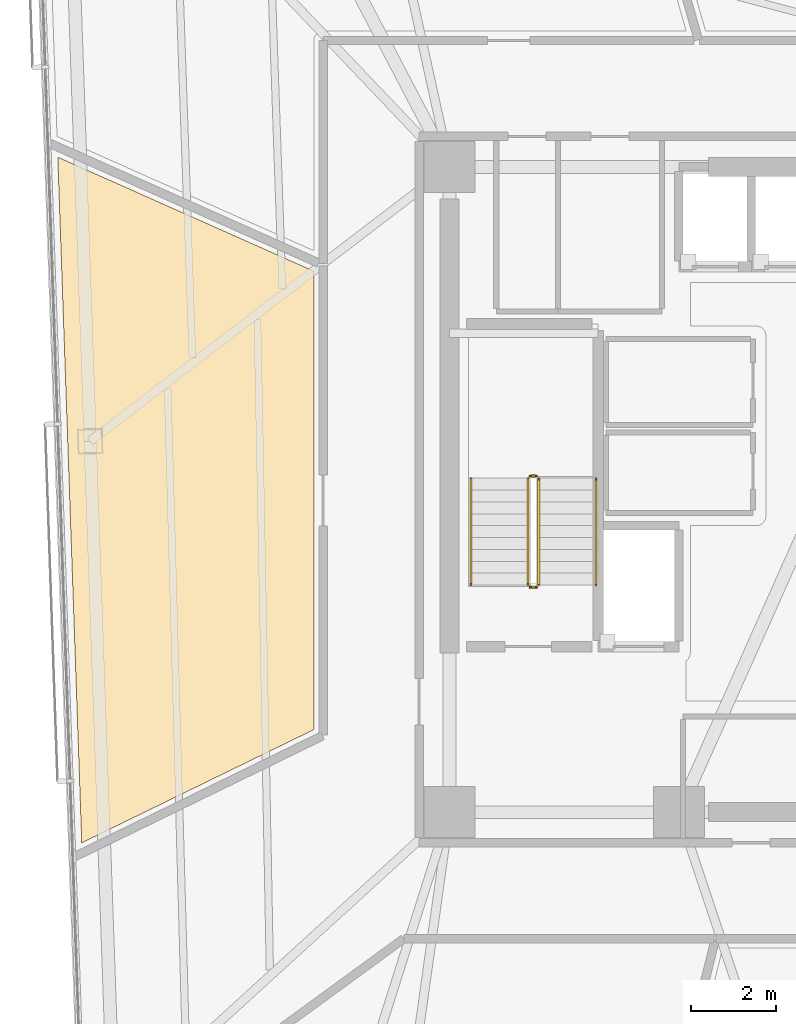
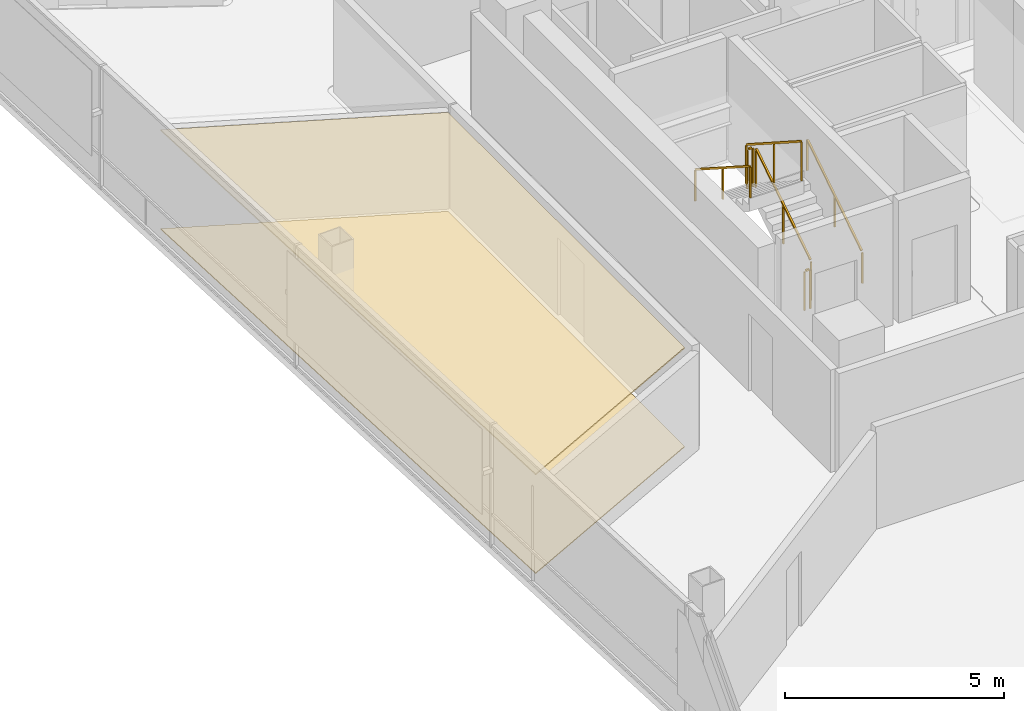
# One storey, part 18 of 21: 6 railings, 2 coverings.
"""IFC4 building model written with IfcOpenShell, lengths in metres."""

from ifc_helpers import new_model, si_unit, direction, frame, origin, origin_2d, place, context, subcontext, project, spatial, polyline, rectangle, outline, extrude, material, layer, layer_set, type_object, element, save


model = new_model("IFC4")

# Units and contexts
model_context = context("Model", 3, precision=1e-05, world=origin(), true_north=direction((0.0, 1.0)))
body_context = subcontext(model_context, "Body", "Model", "MODEL_VIEW")
ifc_project = project(units=[si_unit("LENGTHUNIT", "METRE"), si_unit("AREAUNIT", "SQUARE_METRE"), si_unit("VOLUMEUNIT", "CUBIC_METRE"), si_unit("PLANEANGLEUNIT", "RADIAN"), si_unit("MASSUNIT", "GRAM", prefix="KILO")], contexts=[model_context])

# Site, building, storey
site_placement = place(None, origin())
site = spatial("IfcSite", under=ifc_project, at=site_placement, CompositionType="ELEMENT")
building_placement = place(site_placement, origin())
building = spatial("IfcBuilding", under=site, at=building_placement, Name="Tharavind Bronze Gate", CompositionType="ELEMENT")
storey_placement = place(building_placement, frame((0.0, 0.0, 156.800048828125)))
storey = spatial("IfcBuildingStorey", under=building, at=storey_placement, Name="L40", CompositionType="ELEMENT", Elevation=156.800048828125)

# Coverings
ifc_material_1 = material(Name="Perforated Bronze Acoustic Panel", Category="bronze")
ifc_layer_1 = layer(ifc_material_1, 0.044921875)
ifc_layer_set_1 = layer_set([ifc_layer_1], Name="Perforated Bronze Acoustic Panel")
covering_type_1 = type_object("IfcCoveringType", Name="ACOUSTIC BRONZE BAFFLE CEILING", PredefinedType="CEILING", material=ifc_layer_set_1)
covering_1_placement = place(storey_placement, frame((0.0, 0.0, 2.75)))
element("IfcCovering", 1, at=covering_1_placement, inside=storey, type_object=covering_type_1, Name="L40-RM-03 suspended ceiling", PredefinedType="CEILING", context=body_context, shape_type="SweptSolid", body=[
    extrude(outline(polyline([(-17.567626953125, -8.323486328125), (-12.10009765625, -5.65673828125), (-12.10009765625, 5.146484375), (-18.1318359375, 7.83203125), (-17.567626953125, -8.323486328125)])), origin(), (0.0, 0.0, 1.0), 0.034912109375),
])
ifc_material_2 = material(Name="Engineered Oak & Carpet Tile", Category="wood")
ifc_layer_2 = layer(ifc_material_2, 0.02490234375)
ifc_layer_set_2 = layer_set([ifc_layer_2], Name="Engineered Oak & Carpet Tile")
covering_type_2 = type_object("IfcCoveringType", Name="ENGINEERED TIMBER FLOORING", PredefinedType="FLOORING", material=ifc_layer_set_2)
covering_2_placement = place(storey_placement, origin())
element("IfcCovering", 2, at=covering_2_placement, inside=storey, type_object=covering_type_2, Name="L40-RM-03 floor finish", PredefinedType="FLOORING", context=body_context, shape_type="SweptSolid", body=[
    extrude(outline(polyline([(-17.567626953125, -8.323486328125), (-12.10009765625, -5.65673828125), (-12.10009765625, 5.146484375), (-18.1318359375, 7.83203125), (-17.567626953125, -8.323486328125)])), origin(), (0.0, 0.0, 1.0), 0.02490234375),
])

# Railings
ifc_material_3 = material(Name="Brushed Bronze Alloy", Category="metal")
railing_type_1 = type_object("IfcRailingType", Name="STAIR BRONZE HANDRAIL 900", PredefinedType="HANDRAIL", material=ifc_material_3)
railing_1_placement = place(storey_placement, frame((-5.449951171875, -2.25, 0.179931640625)))
element("IfcRailing", 3, at=railing_1_placement, inside=storey, type_object=railing_type_1, Name="L40 ST1 stair handrail 1", PredefinedType="HANDRAIL", context=body_context, shape_type="SweptSolid", body=[
    extrude(rectangle(XDim=0.048095703125, YDim=0.048095703125, at=origin_2d()), frame((0.0, 0.02685546875, 0.89306640625), z_axis=(0.0, 0.841162588446, 0.540782303519), x_axis=(-1.0, 0.0, 0.0)), (0.0, 0.0, 1.0), 2.931884765625),
    extrude(rectangle(XDim=0.0400390625, YDim=0.0400390625, at=origin_2d()), origin(), (0.0, 0.0, 1.0), 0.847900390625),
    extrude(rectangle(XDim=0.0400390625, YDim=0.0400390625, at=origin_2d()), frame((0.0, 1.260009765625, 0.81005859375)), (0.0, 0.0, 1.0), 0.847900390625),
    extrude(rectangle(XDim=0.0400390625, YDim=0.0400390625, at=origin_2d()), frame((0.0, 2.52001953125, 1.6201171875)), (0.0, 0.0, 1.0), 0.847900390625),
])
railing_2_placement = place(storey_placement, frame((-8.39990234375, 0.27001953125, 1.97998046875)))
element("IfcRailing", 4, at=railing_2_placement, inside=storey, type_object=railing_type_1, Name="L40 ST1 stair handrail 2", PredefinedType="HANDRAIL", context=body_context, shape_type="SweptSolid", body=[
    extrude(rectangle(XDim=0.048095703125, YDim=0.048095703125, at=origin_2d()), frame((0.0, -0.02685546875, 0.89306640625), z_axis=(0.0, -0.841199657755, 0.540724639528), x_axis=(1.0, 0.0, 0.0)), (0.0, 0.0, 1.0), 2.931640625),
    extrude(rectangle(XDim=0.0400390625, YDim=0.0400390625, at=origin_2d()), origin(), (0.0, 0.0, 1.0), 0.847900390625),
    extrude(rectangle(XDim=0.0400390625, YDim=0.0400390625, at=origin_2d()), frame((0.0, -1.260009765625, 0.81005859375)), (0.0, 0.0, 1.0), 0.847900390625),
    extrude(rectangle(XDim=0.0400390625, YDim=0.0400390625, at=origin_2d()), frame((0.0, -2.52001953125, 1.619873046875)), (0.0, 0.0, 1.0), 0.847900390625),
])
railing_type_2 = type_object("IfcRailingType", Name="STAIR WELL GUARD RAILING 1120", PredefinedType="GUARDRAIL", material=ifc_material_3)
railing_3_placement = place(storey_placement, frame((-6.800048828125, -2.25, 0.179931640625)))
element("IfcRailing", 5, at=railing_3_placement, inside=storey, type_object=railing_type_2, Name="L40 ST1 stair guard 1", PredefinedType="GUARDRAIL", context=body_context, shape_type="SweptSolid", body=[
    extrude(rectangle(XDim=0.048095703125, YDim=0.048095703125, at=origin_2d()), frame((0.0, 0.02685546875, 1.11328125), z_axis=(0.0, 0.841162588446, 0.540782303519), x_axis=(-1.0, 0.0, 0.0)), (0.0, 0.0, 1.0), 2.931884765625),
    extrude(rectangle(XDim=0.0400390625, YDim=0.0400390625, at=origin_2d()), origin(), (0.0, 0.0, 1.0), 1.068115234375),
    extrude(rectangle(XDim=0.0400390625, YDim=0.0400390625, at=origin_2d()), frame((0.0, 1.260009765625, 0.81005859375)), (0.0, 0.0, 1.0), 1.068115234375),
    extrude(rectangle(XDim=0.0400390625, YDim=0.0400390625, at=origin_2d()), frame((0.0, 2.52001953125, 1.6201171875)), (0.0, 0.0, 1.0), 1.068115234375),
])
railing_4_placement = place(storey_placement, frame((-6.85009765625, 0.320068359375, 1.800048828125)))
element("IfcRailing", 6, at=railing_4_placement, inside=storey, type_object=railing_type_2, Name="L40 ST1 stair guard 2", PredefinedType="GUARDRAIL", context=body_context, shape_type="SweptSolid", body=[
    extrude(rectangle(XDim=0.048095703125, YDim=0.048095703125, at=origin_2d()), frame((-0.031982421875, 0.0, 1.09619140625), z_axis=(-1.0, 0.0, 0.0), x_axis=(0.0, -1.0, 0.0)), (0.0, 0.0, 1.0), 0.0859375),
    extrude(rectangle(XDim=0.0400390625, YDim=0.0400390625, at=origin_2d()), origin(), (0.0, 0.0, 1.0), 1.068115234375),
    extrude(rectangle(XDim=0.0400390625, YDim=0.0400390625, at=origin_2d()), frame((-0.14990234375, 0.0, 0.0)), (0.0, 0.0, 1.0), 1.068115234375),
])
railing_5_placement = place(storey_placement, frame((-7.050048828125, 0.27001953125, 1.97998046875)))
element("IfcRailing", 7, at=railing_5_placement, inside=storey, type_object=railing_type_2, Name="L40 ST1 stair guard 3", PredefinedType="GUARDRAIL", context=body_context, shape_type="SweptSolid", body=[
    extrude(rectangle(XDim=0.048095703125, YDim=0.048095703125, at=origin_2d()), frame((0.0, -0.02685546875, 1.11328125), z_axis=(0.0, -0.841199657755, 0.540724639528), x_axis=(1.0, 0.0, 0.0)), (0.0, 0.0, 1.0), 2.931640625),
    extrude(rectangle(XDim=0.0400390625, YDim=0.0400390625, at=origin_2d()), origin(), (0.0, 0.0, 1.0), 1.068115234375),
    extrude(rectangle(XDim=0.0400390625, YDim=0.0400390625, at=origin_2d()), frame((0.0, -1.260009765625, 0.81005859375)), (0.0, 0.0, 1.0), 1.068115234375),
    extrude(rectangle(XDim=0.0400390625, YDim=0.0400390625, at=origin_2d()), frame((0.0, -2.52001953125, 1.619873046875)), (0.0, 0.0, 1.0), 1.068115234375),
])
railing_6_placement = place(storey_placement, frame((-6.85009765625, -2.300048828125, 0.0)))
element("IfcRailing", 8, at=railing_6_placement, inside=storey, type_object=railing_type_2, Name="L40 ST1 stair guard 4", PredefinedType="GUARDRAIL", context=body_context, shape_type="SweptSolid", body=[
    extrude(rectangle(XDim=0.048095703125, YDim=0.048095703125, at=origin_2d()), frame((-0.031982421875, 0.0, 1.09619140625), z_axis=(-1.0, 0.0, 0.0), x_axis=(0.0, -1.0, 0.0)), (0.0, 0.0, 1.0), 0.0859375),
    extrude(rectangle(XDim=0.0400390625, YDim=0.0400390625, at=origin_2d()), origin(), (0.0, 0.0, 1.0), 1.068115234375),
    extrude(rectangle(XDim=0.0400390625, YDim=0.0400390625, at=origin_2d()), frame((-0.14990234375, 0.0, 0.0)), (0.0, 0.0, 1.0), 1.068115234375),
])

save(model, "model.ifc")
